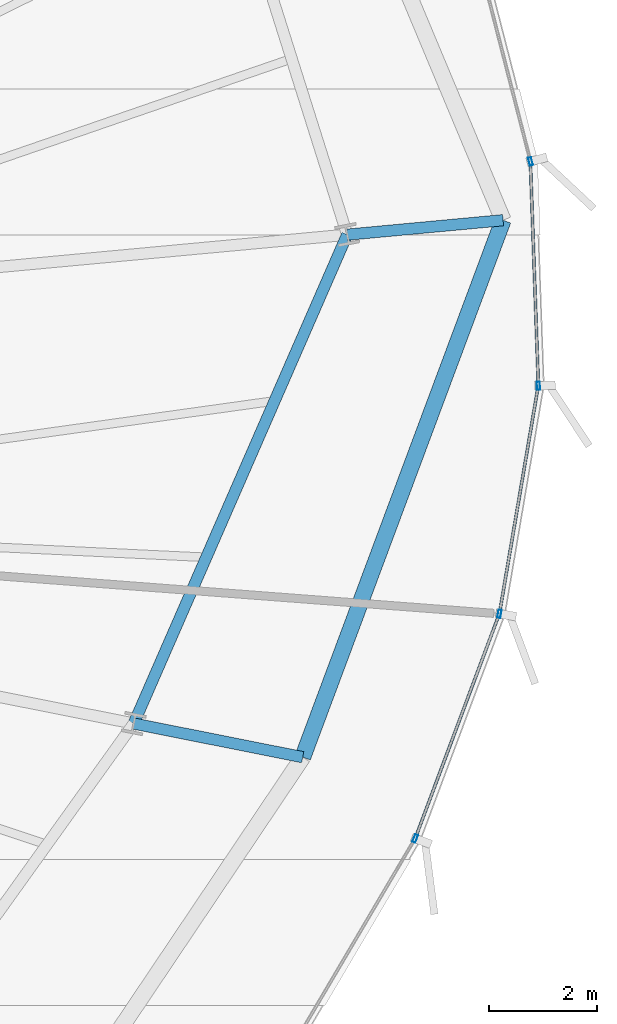
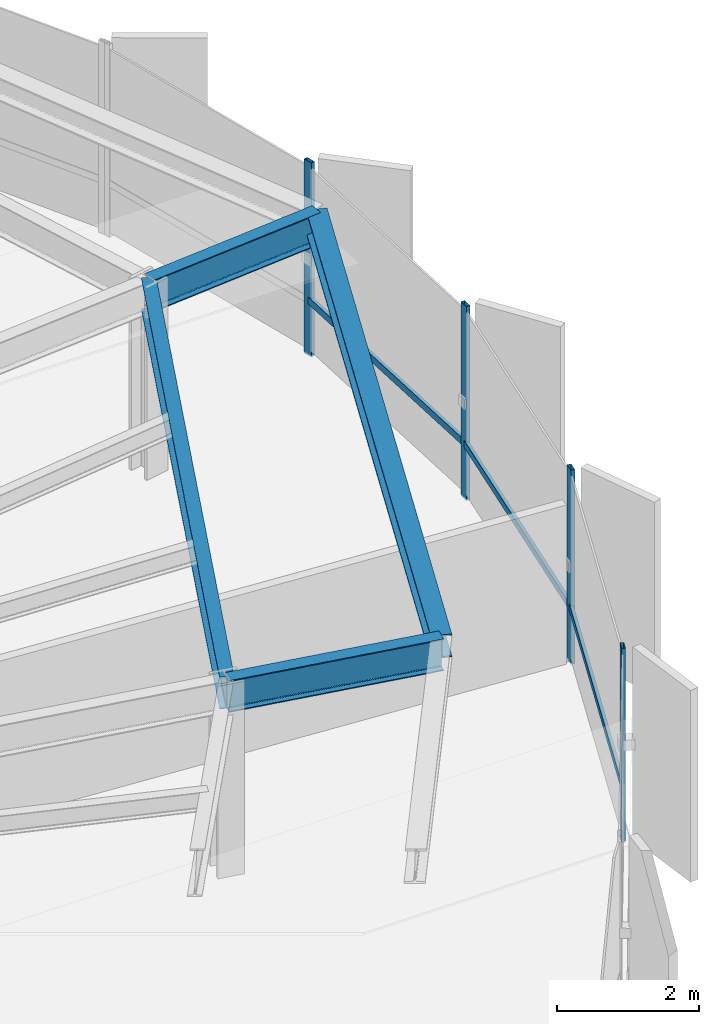
# One storey, part 16 of 33: 7 members, 4 beams, 1 element without a shape of its own.
"""IFC4 building model written with IfcOpenShell, lengths in metres."""

from ifc_helpers import new_model, si_unit, direction, frame, origin, origin_2d, place, context, subcontext, project, spatial, hollow_rectangle, i_section, extrude, source, transform, mapped, material, layer, layer_set, material_profile, profile_set, type_object, element, aggregate, save


model = new_model("IFC4")

# Units and contexts
model_context = context("Model", 3, precision=1e-05, world=origin(), true_north=direction((0.0, 1.0)))
body_context = subcontext(model_context, "Body", "Model", "MODEL_VIEW")
ifc_project = project(units=[si_unit("LENGTHUNIT", "METRE"), si_unit("AREAUNIT", "SQUARE_METRE"), si_unit("VOLUMEUNIT", "CUBIC_METRE"), si_unit("PLANEANGLEUNIT", "RADIAN"), si_unit("MASSUNIT", "GRAM", prefix="KILO"), si_unit("THERMODYNAMICTEMPERATUREUNIT", "KELVIN")], contexts=[model_context])

# Site, building, storey
site_placement = place(None, origin())
site = spatial("IfcSite", under=ifc_project, at=site_placement, CompositionType="ELEMENT")
building_placement = place(site_placement, origin())
building = spatial("IfcBuilding", under=site, at=building_placement, Name="Kethvar Cultural Tower", CompositionType="ELEMENT")
storey_placement = place(building_placement, frame((0.0, 0.0, 118.0)))
storey = spatial("IfcBuildingStorey", under=building, at=storey_placement, Name="L29", CompositionType="ELEMENT", Elevation=118.0)

# Beams
ifc_material_1 = material(Name="Steel S355J2", Category="steel")
ifc_material_profile_1 = material_profile(ifc_material_1, i_section(OverallWidth=0.2099609375, OverallDepth=0.550048828125, WebThickness=0.010986328125, FlangeThickness=0.01708984375, FilletRadius=0.02392578125, at=origin_2d()), Name="Steel S355J2 — IPE550")
ifc_profile_set_1 = profile_set([ifc_material_profile_1], Name="Steel S355J2 — IPE550")
beam_type_1 = type_object("IfcBeamType", Name="BM-IPE550", PredefinedType="BEAM", material=ifc_profile_set_1)
shared_shape_1 = source(origin(), body_context, "Body", "SweptSolid", [
    extrude(i_section(OverallWidth=0.2099609375, OverallDepth=0.550048828125, WebThickness=0.010986328125, FlangeThickness=0.01708984375, FilletRadius=0.02392578125, at=origin_2d()), origin(), (0.0, 0.0, 1.0), 3.199951171875),
])
beam_1_placement = place(storey_placement, frame((67.638671875, 23.65478515625, 3.072998046875), z_axis=(0.980785550224, -0.195088965533, 0.0), x_axis=(0.195088965533, 0.980785550224, 0.0)))
element("IfcBeam", 1, at=beam_1_placement, inside=storey, type_object=beam_type_1, Name="L29 Perimeter Cantilever Beam RC-16", PredefinedType="BEAM", context=body_context, shape_type="MappedRepresentation", body=[
    mapped(shared_shape_1, transform((0.0, 0.0, 0.0), scale=1.0)),
])
shared_shape_2 = source(origin(), body_context, "Body", "SweptSolid", [
    extrude(i_section(OverallWidth=0.2099609375, OverallDepth=0.550048828125, WebThickness=0.010986328125, FlangeThickness=0.01708984375, FilletRadius=0.02392578125, at=origin_2d()), origin(), (0.0, 0.0, 1.0), 9.90625),
])
beam_2_placement = place(storey_placement, frame((67.638671875, 23.65478515625, 3.072998046875), z_axis=(0.400138679026, 0.916454602011, 0.0), x_axis=(-0.916454602011, 0.400138679026, 0.0)))
element("IfcBeam", 2, at=beam_2_placement, inside=storey, type_object=beam_type_1, Name="L29 Column Ring Tie Beam CR-16", PredefinedType="BEAM", context=body_context, shape_type="MappedRepresentation", body=[
    mapped(shared_shape_2, transform((0.0, 0.0, 0.0), scale=1.0)),
])
shared_shape_3 = source(origin(), body_context, "Body", "SweptSolid", [
    extrude(i_section(OverallWidth=0.2099609375, OverallDepth=0.550048828125, WebThickness=0.010986328125, FlangeThickness=0.01708984375, FilletRadius=0.02392578125, at=origin_2d()), origin(), (0.0, 0.0, 1.0), 2.907470703125),
])
beam_3_placement = place(storey_placement, frame((71.6025390625, 32.7333984375, 3.072998046875), z_axis=(0.995724956143, 0.092367806692, 0.0), x_axis=(-0.092367806692, 0.995724956143, 0.0)))
element("IfcBeam", 3, at=beam_3_placement, inside=storey, type_object=beam_type_1, Name="L29 Perimeter Cantilever Beam RC-01", PredefinedType="BEAM", context=body_context, shape_type="MappedRepresentation", body=[
    mapped(shared_shape_3, transform((0.0, 0.0, 0.0), scale=1.0)),
])
ifc_material_profile_2 = material_profile(ifc_material_1, i_section(OverallWidth=0.300048828125, OverallDepth=0.39990234375, WebThickness=0.013427734375, FlangeThickness=0.02392578125, FilletRadius=0.027099609375, at=origin_2d()), Name="Steel S355J2 — HEB400")
ifc_profile_set_2 = profile_set([ifc_material_profile_2], Name="Steel S355J2 — HEB400")
beam_type_2 = type_object("IfcBeamType", Name="BM-SP400", PredefinedType="SPANDREL", material=ifc_profile_set_2)
shared_shape_4 = source(origin(), body_context, "Body", "SweptSolid", [
    extrude(i_section(OverallWidth=0.300048828125, OverallDepth=0.39990234375, WebThickness=0.013427734375, FlangeThickness=0.02392578125, FilletRadius=0.027099609375, at=origin_2d()), origin(), (0.0, 0.0, 1.0), 10.642822265625),
])
beam_4_placement = place(storey_placement, frame((70.777099609375, 23.030517578125, 3.14794921875), z_axis=(0.349571886527, 0.93690954534, 0.0), x_axis=(-0.93690954534, 0.349571886527, 0.0)))
element("IfcBeam", 4, at=beam_4_placement, inside=storey, type_object=beam_type_2, Name="L29 Perimeter Spandrel Beam SP-16", PredefinedType="SPANDREL", context=body_context, shape_type="MappedRepresentation", body=[
    mapped(shared_shape_4, transform((0.0, 0.0, 0.0), scale=1.0)),
])

# Curtain wall, members
ifc_material_2 = material(Name="Aluminium 6063-T6", Category="aluminium")
ifc_layer = layer(ifc_material_2, 0.179931640625, Name="Aluminium 6063-T6", Category="aluminium")
ifc_layer_set = layer_set([ifc_layer], Name="Aluminium 6063-T6 (180 mm)")
curtain_wall_type = type_object("IfcCurtainWallType", Name="CW-SYS-03-Z2", PredefinedType="NOTDEFINED", material=ifc_layer_set)
curtain_wall_placement = place(storey_placement, origin())
curtain_wall = element("IfcCurtainWall", 5, at=curtain_wall_placement, inside=storey, type_object=curtain_wall_type, Name="L29 Curtain Wall Run 06", PredefinedType="NOTDEFINED")
ifc_material_profile_3 = material_profile(ifc_material_2, hollow_rectangle(XDim=0.06005859375, YDim=0.14990234375, WallThickness=0.0048828125, at=origin_2d()), Name="Aluminium 6063-T6 — RHS150x60x5")
ifc_profile_set_3 = profile_set([ifc_material_profile_3], Name="Aluminium 6063-T6 — RHS150x60x5")
member_type_1 = type_object("IfcMemberType", Name="CW-SYS-03-Z2-MUL", PredefinedType="MULLION", material=ifc_profile_set_3)
shared_shape_5 = source(origin(), body_context, "Body", "SweptSolid", [
    extrude(hollow_rectangle(XDim=0.06005859375, YDim=0.14990234375, WallThickness=0.0048828125, at=origin_2d()), origin(), (0.0, 0.0, 1.0), 3.35009765625),
])
member_1_placement = place(storey_placement, frame((72.86572265625, 21.520263671875, 0.0), z_axis=(0.0, 0.0, 1.0), x_axis=(-0.936556004584, 0.350517974259, 0.0)))
member_1 = element("IfcMember", 6, at=member_1_placement, type_object=member_type_1, Name="CW-L29-R06 Mullion 3", PredefinedType="MULLION", context=body_context, shape_type="MappedRepresentation", body=[
    mapped(shared_shape_5, transform((0.0, 0.0, 0.0), scale=1.0)),
])
member_2_placement = place(storey_placement, frame((74.4296875, 25.693359375, 0.0), z_axis=(0.0, 0.0, 1.0), x_axis=(-0.985814998679, 0.167835599259, 0.0)))
member_2 = element("IfcMember", 7, at=member_2_placement, type_object=member_type_1, Name="CW-L29-R06 Mullion 4", PredefinedType="MULLION", context=body_context, shape_type="MappedRepresentation", body=[
    mapped(shared_shape_5, transform((0.0, 0.0, 0.0), scale=1.0)),
])
member_3_placement = place(storey_placement, frame((75.1533203125, 29.927734375, 0.0), z_axis=(0.0, 0.0, 1.0), x_axis=(-0.999362485821, -0.035701847749, 0.0)))
member_3 = element("IfcMember", 8, at=member_3_placement, type_object=member_type_1, Name="CW-L29-R06 Mullion 5", PredefinedType="MULLION", context=body_context, shape_type="MappedRepresentation", body=[
    mapped(shared_shape_5, transform((0.0, 0.0, 0.0), scale=1.0)),
])
member_4_placement = place(storey_placement, frame((75.007080078125, 34.093017578125, 0.0), z_axis=(0.0, 0.0, 1.0), x_axis=(-0.968578820524, -0.248706792092, 0.0)))
member_4 = element("IfcMember", 9, at=member_4_placement, type_object=member_type_1, Name="CW-L29-R06 Mullion 6", PredefinedType="MULLION", context=body_context, shape_type="MappedRepresentation", body=[
    mapped(shared_shape_5, transform((0.0, 0.0, 0.0), scale=1.0)),
])
ifc_material_profile_4 = material_profile(ifc_material_2, hollow_rectangle(XDim=0.054931640625, YDim=0.1201171875, WallThickness=0.00390625, at=origin_2d()), Name="Aluminium 6063-T6 — RHS120x55x4")
ifc_profile_set_4 = profile_set([ifc_material_profile_4], Name="Aluminium 6063-T6 — RHS120x55x4")
member_type_2 = type_object("IfcMemberType", Name="CW-SYS-03-Z2-TRN", PredefinedType="USERDEFINED", material=ifc_profile_set_4)
shared_shape_6 = source(origin(), body_context, "Body", "SweptSolid", [
    extrude(hollow_rectangle(XDim=0.054931640625, YDim=0.1201171875, WallThickness=0.00390625, at=origin_2d()), origin(), (0.0, 0.0, 1.0), 4.23291015625),
])
member_5_placement = place(storey_placement, frame((74.43701171875, 25.73583984375, 0.949951171875), z_axis=(0.167839896851, 0.985814267002, 0.0), x_axis=(-0.985814267002, 0.167839896851, 0.0)))
member_5 = element("IfcMember", 10, at=member_5_placement, type_object=member_type_2, Name="CW-L29-R06 Transom 4", ObjectType="TRANSOM", PredefinedType="USERDEFINED", context=body_context, shape_type="MappedRepresentation", body=[
    mapped(shared_shape_6, transform((0.0, 0.0, 0.0), scale=1.0)),
])
shared_shape_7 = source(origin(), body_context, "Body", "SweptSolid", [
    extrude(hollow_rectangle(XDim=0.054931640625, YDim=0.1201171875, WallThickness=0.00390625, at=origin_2d()), origin(), (0.0, 0.0, 1.0), 4.391845703125),
])
member_6_placement = place(storey_placement, frame((72.880859375, 21.560791015625, 0.949951171875), z_axis=(0.350556806084, 0.936541470362, 0.0), x_axis=(-0.936541470362, 0.350556806084, 0.0)))
member_6 = element("IfcMember", 11, at=member_6_placement, type_object=member_type_2, Name="CW-L29-R06 Transom 3", ObjectType="TRANSOM", PredefinedType="USERDEFINED", context=body_context, shape_type="MappedRepresentation", body=[
    mapped(shared_shape_7, transform((0.0, 0.0, 0.0), scale=1.0)),
])
shared_shape_8 = source(origin(), body_context, "Body", "SweptSolid", [
    extrude(hollow_rectangle(XDim=0.054931640625, YDim=0.1201171875, WallThickness=0.00390625, at=origin_2d()), origin(), (0.0, 0.0, 1.0), 4.10595703125),
])
member_7_placement = place(storey_placement, frame((75.151611328125, 29.970947265625, 0.949951171875), z_axis=(-0.035736069428, 0.999361262678, 0.0), x_axis=(-0.999361262678, -0.035736069428, 0.0)))
member_7 = element("IfcMember", 12, at=member_7_placement, type_object=member_type_2, Name="CW-L29-R06 Transom 5", ObjectType="TRANSOM", PredefinedType="USERDEFINED", context=body_context, shape_type="MappedRepresentation", body=[
    mapped(shared_shape_8, transform((0.0, 0.0, 0.0), scale=1.0)),
])
aggregate(curtain_wall, [member_1, member_2, member_3, member_4, member_6, member_5, member_7])

save(model, "model.ifc")
